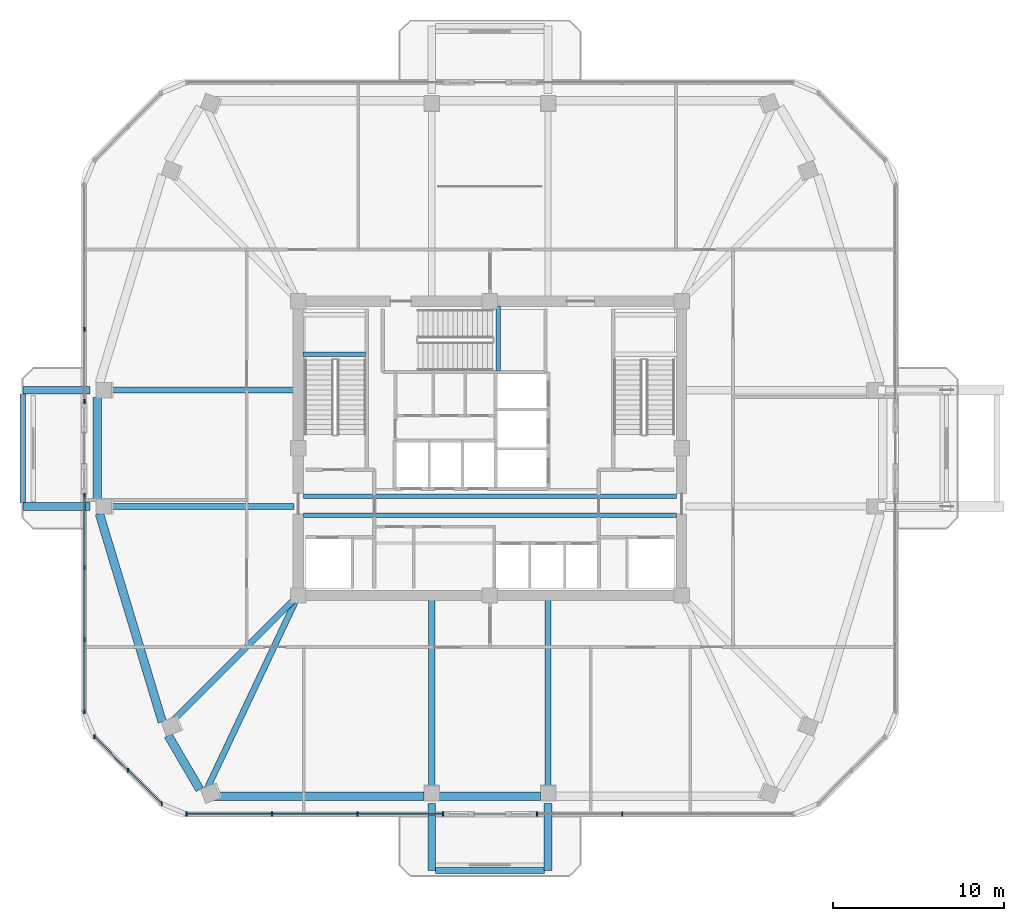
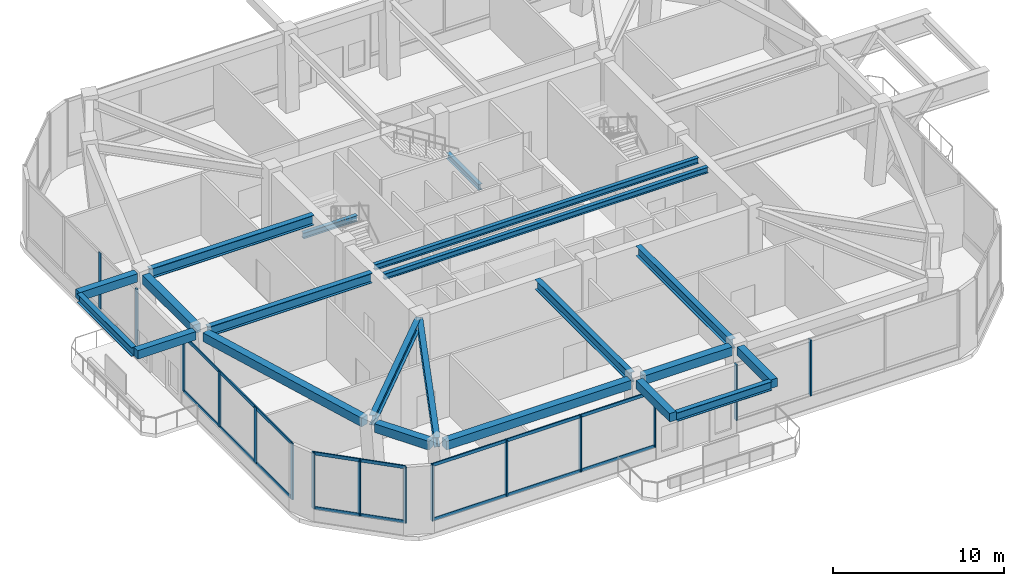
# One storey, part 2 of 14: 21 beams, 21 members, 5 elements without a shape of their own.
"""IFC4 building model written with IfcOpenShell, lengths in metres."""

from ifc_helpers import new_model, si_unit, derived_unit, direction, frame, origin, origin_2d, place, context, subcontext, project, spatial, rectangle, i_section, extrude, material, material_profile, profile_set, type_object, element, aggregate, save


model = new_model("IFC4")

# Units and contexts
model_context = context("Model", 3, precision=1e-05, world=origin(), true_north=direction((0.0, 1.0)))
body_context = subcontext(model_context, "Body", "Model", "MODEL_VIEW")
ifc_project = project(units=[si_unit("LENGTHUNIT", "METRE"), si_unit("AREAUNIT", "SQUARE_METRE"), si_unit("VOLUMEUNIT", "CUBIC_METRE"), si_unit("PLANEANGLEUNIT", "RADIAN"), si_unit("MASSUNIT", "GRAM", prefix="KILO"), derived_unit("THERMALTRANSMITTANCEUNIT", [(si_unit("POWERUNIT", "WATT"), 1), (si_unit("LENGTHUNIT", "METRE"), -2), (si_unit("THERMODYNAMICTEMPERATUREUNIT", "KELVIN"), -1)])], contexts=[model_context])

# Site, building, storey
site_placement = place(None, origin())
site = spatial("IfcSite", under=ifc_project, at=site_placement, CompositionType="ELEMENT")
building_placement = place(site_placement, origin())
building = spatial("IfcBuilding", under=site, at=building_placement, Name="Koralith Skygarden Medical Center", CompositionType="ELEMENT")
storey_placement = place(building_placement, frame((0.0, 0.0, 182.699951171875)))
storey = spatial("IfcBuildingStorey", under=building, at=storey_placement, Name="L47", CompositionType="ELEMENT", Elevation=182.699951171875)

# Curtain wall, members
ifc_material_1 = material(Name="Clear Laminated Glass", Category="glass")
curtain_wall_type = type_object("IfcCurtainWallType", Name="CW-7 Sky-Garden & Pool Conservatory Wall", PredefinedType="NOTDEFINED", material=ifc_material_1)
curtain_wall_1_placement = place(storey_placement, origin())
curtain_wall_1 = element("IfcCurtainWall", 1, at=curtain_wall_1_placement, inside=storey, type_object=curtain_wall_type, Name="Curtain Wall CW-L47-S-L", PredefinedType="NOTDEFINED")
ifc_material_2 = material(Name="Aluminium 6063-T6", Category="aluminium")
ifc_material_profile_1 = material_profile(ifc_material_2, rectangle(XDim=0.0859375, YDim=0.25, at=origin_2d()), Name="MUL86X250")
ifc_profile_set_1 = profile_set([ifc_material_profile_1], Name="Aluminium 6063-T6")
member_type_1 = type_object("IfcMemberType", Name="CW-7 Extruded Mullion 86x250", PredefinedType="MULLION", material=ifc_profile_set_1)
member_1_placement = place(storey_placement, frame((19.278076171875, 4.529052734375, 0.85009765625), z_axis=(0.0, 0.0, 1.0), x_axis=(1.0, 0.0, 0.0)))
member_1 = element("IfcMember", 2, at=member_1_placement, type_object=member_type_1, Name="CW-L47-S-L Mullion 1", PredefinedType="MULLION", context=body_context, shape_type="SweptSolid", body=[
    extrude(rectangle(XDim=0.0859375, YDim=0.25, at=origin_2d()), origin(), (0.0, 0.0, 1.0), 3.97998046875),
])
member_2_placement = place(storey_placement, frame((24.27197265625, 4.529052734375, 0.85009765625), z_axis=(0.0, 0.0, 1.0), x_axis=(1.0, 0.0, 0.0)))
member_2 = element("IfcMember", 3, at=member_2_placement, type_object=member_type_1, Name="CW-L47-S-L Mullion 2", PredefinedType="MULLION", context=body_context, shape_type="SweptSolid", body=[
    extrude(rectangle(XDim=0.0859375, YDim=0.25, at=origin_2d()), origin(), (0.0, 0.0, 1.0), 3.97998046875),
])
member_3_placement = place(storey_placement, frame((29.264892578125, 4.529052734375, 0.85009765625), z_axis=(0.0, 0.0, 1.0), x_axis=(1.0, 0.0, 0.0)))
member_3 = element("IfcMember", 4, at=member_3_placement, type_object=member_type_1, Name="CW-L47-S-L Mullion 3", PredefinedType="MULLION", context=body_context, shape_type="SweptSolid", body=[
    extrude(rectangle(XDim=0.0859375, YDim=0.25, at=origin_2d()), origin(), (0.0, 0.0, 1.0), 3.97998046875),
])
member_4_placement = place(storey_placement, frame((34.259033203125, 4.529052734375, 0.85009765625), z_axis=(0.0, 0.0, 1.0), x_axis=(1.0, 0.0, 0.0)))
member_4 = element("IfcMember", 5, at=member_4_placement, type_object=member_type_1, Name="CW-L47-S-L Mullion 4", PredefinedType="MULLION", context=body_context, shape_type="SweptSolid", body=[
    extrude(rectangle(XDim=0.0859375, YDim=0.25, at=origin_2d()), origin(), (0.0, 0.0, 1.0), 3.97998046875),
])

curtain_wall_2_placement = place(storey_placement, origin())
curtain_wall_2 = element("IfcCurtainWall", 6, at=curtain_wall_2_placement, inside=storey, type_object=curtain_wall_type, Name="Curtain Wall CW-L47-S-R", PredefinedType="NOTDEFINED")
member_5_placement = place(storey_placement, frame((39.739013671875, 4.529052734375, 0.85009765625), z_axis=(0.0, 0.0, 1.0), x_axis=(1.0, 0.0, 0.0)))
member_5 = element("IfcMember", 7, at=member_5_placement, type_object=member_type_1, Name="CW-L47-S-R Mullion 1", PredefinedType="MULLION", context=body_context, shape_type="SweptSolid", body=[
    extrude(rectangle(XDim=0.0859375, YDim=0.25, at=origin_2d()), origin(), (0.0, 0.0, 1.0), 3.97998046875),
])
member_6_placement = place(storey_placement, frame((44.73291015625, 4.529052734375, 0.85009765625), z_axis=(0.0, 0.0, 1.0), x_axis=(1.0, 0.0, 0.0)))
member_6 = element("IfcMember", 8, at=member_6_placement, type_object=member_type_1, Name="CW-L47-S-R Mullion 2", PredefinedType="MULLION", context=body_context, shape_type="SweptSolid", body=[
    extrude(rectangle(XDim=0.0859375, YDim=0.25, at=origin_2d()), origin(), (0.0, 0.0, 1.0), 3.97998046875),
])
aggregate(curtain_wall_2, [member_5, member_6])

curtain_wall_3_placement = place(storey_placement, origin())
curtain_wall_3 = element("IfcCurtainWall", 9, at=curtain_wall_3_placement, inside=storey, type_object=curtain_wall_type, Name="Curtain Wall CW-L47-W-L", PredefinedType="NOTDEFINED")
member_7_placement = place(storey_placement, frame((13.302978515625, 32.85791015625, 0.85009765625), z_axis=(0.0, 0.0, 1.0), x_axis=(1.0, 0.0, 0.0)))
member_7 = element("IfcMember", 10, at=member_7_placement, type_object=member_type_1, Name="CW-L47-W-L Mullion 3", PredefinedType="MULLION", context=body_context, shape_type="SweptSolid", body=[
    extrude(rectangle(XDim=0.0859375, YDim=0.25, at=origin_2d()), origin(), (0.0, 0.0, 1.0), 3.97998046875),
])
member_8_placement = place(storey_placement, frame((13.302978515625, 28.639892578125, 0.85009765625), z_axis=(0.0, 0.0, 1.0), x_axis=(1.0, 0.0, 0.0)))
member_8 = element("IfcMember", 11, at=member_8_placement, type_object=member_type_1, Name="CW-L47-W-L Mullion 4", PredefinedType="MULLION", context=body_context, shape_type="SweptSolid", body=[
    extrude(rectangle(XDim=0.0859375, YDim=0.25, at=origin_2d()), origin(), (0.0, 0.0, 1.0), 3.97998046875),
])
aggregate(curtain_wall_3, [member_7, member_8])

curtain_wall_4_placement = place(storey_placement, origin())
curtain_wall_4 = element("IfcCurtainWall", 12, at=curtain_wall_4_placement, inside=storey, type_object=curtain_wall_type, Name="Curtain Wall CW-L47-W-R", PredefinedType="NOTDEFINED")
member_9_placement = place(storey_placement, frame((13.302978515625, 23.159912109375, 0.85009765625), z_axis=(0.0, 0.0, 1.0), x_axis=(1.0, 0.0, 0.0)))
member_9 = element("IfcMember", 13, at=member_9_placement, type_object=member_type_1, Name="CW-L47-W-R Mullion 1", PredefinedType="MULLION", context=body_context, shape_type="SweptSolid", body=[
    extrude(rectangle(XDim=0.0859375, YDim=0.25, at=origin_2d()), origin(), (0.0, 0.0, 1.0), 3.97998046875),
])
member_10_placement = place(storey_placement, frame((13.302978515625, 18.94189453125, 0.85009765625), z_axis=(0.0, 0.0, 1.0), x_axis=(1.0, 0.0, 0.0)))
member_10 = element("IfcMember", 14, at=member_10_placement, type_object=member_type_1, Name="CW-L47-W-R Mullion 2", PredefinedType="MULLION", context=body_context, shape_type="SweptSolid", body=[
    extrude(rectangle(XDim=0.0859375, YDim=0.25, at=origin_2d()), origin(), (0.0, 0.0, 1.0), 3.97998046875),
])
member_11_placement = place(storey_placement, frame((13.302978515625, 14.722900390625, 0.85009765625), z_axis=(0.0, 0.0, 1.0), x_axis=(1.0, 0.0, 0.0)))
member_11 = element("IfcMember", 15, at=member_11_placement, type_object=member_type_1, Name="CW-L47-W-R Mullion 3", PredefinedType="MULLION", context=body_context, shape_type="SweptSolid", body=[
    extrude(rectangle(XDim=0.0859375, YDim=0.25, at=origin_2d()), origin(), (0.0, 0.0, 1.0), 3.97998046875),
])
member_12_placement = place(storey_placement, frame((13.302978515625, 10.5048828125, 0.85009765625), z_axis=(0.0, 0.0, 1.0), x_axis=(1.0, 0.0, 0.0)))
member_12 = element("IfcMember", 16, at=member_12_placement, type_object=member_type_1, Name="CW-L47-W-R Mullion 4", PredefinedType="MULLION", context=body_context, shape_type="SweptSolid", body=[
    extrude(rectangle(XDim=0.0859375, YDim=0.25, at=origin_2d()), origin(), (0.0, 0.0, 1.0), 3.97998046875),
])

curtain_wall_5_placement = place(storey_placement, origin())
curtain_wall_5 = element("IfcCurtainWall", 17, at=curtain_wall_5_placement, inside=storey, type_object=curtain_wall_type, Name="Curtain Wall CW-L47-SW", PredefinedType="NOTDEFINED")
member_13_placement = place(storey_placement, frame((13.904052734375, 9.053955078125, 0.85009765625), z_axis=(0.0, 0.0, 1.0), x_axis=(1.0, 0.0, 0.0)))
member_13 = element("IfcMember", 18, at=member_13_placement, type_object=member_type_1, Name="CW-L47-SW Mullion 1", PredefinedType="MULLION", context=body_context, shape_type="SweptSolid", body=[
    extrude(rectangle(XDim=0.0859375, YDim=0.25, at=origin_2d()), origin(), (0.0, 0.0, 1.0), 3.97998046875),
])
member_14_placement = place(storey_placement, frame((15.865966796875, 7.093017578125, 0.85009765625), z_axis=(0.0, 0.0, 1.0), x_axis=(1.0, 0.0, 0.0)))
member_14 = element("IfcMember", 19, at=member_14_placement, type_object=member_type_1, Name="CW-L47-SW Mullion 2", PredefinedType="MULLION", context=body_context, shape_type="SweptSolid", body=[
    extrude(rectangle(XDim=0.0859375, YDim=0.25, at=origin_2d()), origin(), (0.0, 0.0, 1.0), 3.97998046875),
])
member_15_placement = place(storey_placement, frame((17.826904296875, 5.131103515625, 0.85009765625), z_axis=(0.0, 0.0, 1.0), x_axis=(1.0, 0.0, 0.0)))
member_15 = element("IfcMember", 20, at=member_15_placement, type_object=member_type_1, Name="CW-L47-SW Mullion 3", PredefinedType="MULLION", context=body_context, shape_type="SweptSolid", body=[
    extrude(rectangle(XDim=0.0859375, YDim=0.25, at=origin_2d()), origin(), (0.0, 0.0, 1.0), 3.97998046875),
])

# Member
ifc_material_profile_2 = material_profile(ifc_material_2, rectangle(XDim=0.0810546875, YDim=0.22509765625, at=origin_2d()), Name="TRN81X225")
ifc_profile_set_2 = profile_set([ifc_material_profile_2], Name="Aluminium 6063-T6")
member_type_2 = type_object("IfcMemberType", Name="CW-7 Thermal Transom 81x225", PredefinedType="USERDEFINED", material=ifc_profile_set_2)
member_16_placement = place(storey_placement, frame((19.278076171875, 4.529052734375, 0.900146484375), z_axis=(1.0, 0.0, 0.0), x_axis=(0.0, 1.0, 0.0)))
member_16 = element("IfcMember", 21, at=member_16_placement, type_object=member_type_2, Name="CW-L47-S-L Transom 1", ObjectType="TRANSOM", PredefinedType="USERDEFINED", context=body_context, shape_type="SweptSolid", body=[
    extrude(rectangle(XDim=0.0810546875, YDim=0.22509765625, at=origin_2d()), origin(), (0.0, 0.0, 1.0), 14.98095703125),
])

member_17_placement = place(storey_placement, frame((19.278076171875, 4.529052734375, 4.780029296875), z_axis=(1.0, 0.0, 0.0), x_axis=(0.0, 1.0, 0.0)))
member_17 = element("IfcMember", 22, at=member_17_placement, type_object=member_type_2, Name="CW-L47-S-L Transom 2", ObjectType="TRANSOM", PredefinedType="USERDEFINED", context=body_context, shape_type="SweptSolid", body=[
    extrude(rectangle(XDim=0.0810546875, YDim=0.22509765625, at=origin_2d()), origin(), (0.0, 0.0, 1.0), 14.98095703125),
])

aggregate(curtain_wall_1, [member_1, member_2, member_3, member_4, member_16, member_17])

member_18_placement = place(storey_placement, frame((13.302978515625, 23.159912109375, 0.900146484375), z_axis=(0.0, -1.0, 0.0), x_axis=(1.0, 0.0, 0.0)))
member_18 = element("IfcMember", 23, at=member_18_placement, type_object=member_type_2, Name="CW-L47-W-R Transom 1", ObjectType="TRANSOM", PredefinedType="USERDEFINED", context=body_context, shape_type="SweptSolid", body=[
    extrude(rectangle(XDim=0.0810546875, YDim=0.22509765625, at=origin_2d()), origin(), (0.0, 0.0, 1.0), 12.655029296875),
])

member_19_placement = place(storey_placement, frame((13.302978515625, 23.159912109375, 4.780029296875), z_axis=(0.0, -1.0, 0.0), x_axis=(1.0, 0.0, 0.0)))
member_19 = element("IfcMember", 24, at=member_19_placement, type_object=member_type_2, Name="CW-L47-W-R Transom 2", ObjectType="TRANSOM", PredefinedType="USERDEFINED", context=body_context, shape_type="SweptSolid", body=[
    extrude(rectangle(XDim=0.0810546875, YDim=0.22509765625, at=origin_2d()), origin(), (0.0, 0.0, 1.0), 12.655029296875),
])

aggregate(curtain_wall_4, [member_9, member_10, member_11, member_12, member_18, member_19])

member_20_placement = place(storey_placement, frame((13.904052734375, 9.053955078125, 0.900146484375), z_axis=(0.707106781187, -0.707106781187, 0.0), x_axis=(0.707106781187, 0.707106781187, 0.0)))
member_20 = element("IfcMember", 25, at=member_20_placement, type_object=member_type_2, Name="CW-L47-SW Transom 1", ObjectType="TRANSOM", PredefinedType="USERDEFINED", context=body_context, shape_type="SweptSolid", body=[
    extrude(rectangle(XDim=0.0810546875, YDim=0.22509765625, at=origin_2d()), origin(), (0.0, 0.0, 1.0), 5.5478515625),
])

member_21_placement = place(storey_placement, frame((13.904052734375, 9.053955078125, 4.780029296875), z_axis=(0.707106781187, -0.707106781187, 0.0), x_axis=(0.707106781187, 0.707106781187, 0.0)))
member_21 = element("IfcMember", 26, at=member_21_placement, type_object=member_type_2, Name="CW-L47-SW Transom 2", ObjectType="TRANSOM", PredefinedType="USERDEFINED", context=body_context, shape_type="SweptSolid", body=[
    extrude(rectangle(XDim=0.0810546875, YDim=0.22509765625, at=origin_2d()), origin(), (0.0, 0.0, 1.0), 5.5478515625),
])

aggregate(curtain_wall_5, [member_13, member_14, member_15, member_20, member_21])

# Beams
ifc_material_3 = material(Name="Steel ASTM A992 Grade 50", Category="steel")
ifc_material_profile_3 = material_profile(ifc_material_3, i_section(OverallWidth=0.326904296875, OverallDepth=0.6220703125, WebThickness=0.015380859375, FlangeThickness=0.0244140625, at=origin_2d()), Name="W24X131")
ifc_profile_set_3 = profile_set([ifc_material_profile_3], Name="Steel ASTM A992 Grade 50")
beam_type_1 = type_object("IfcBeamType", Name="Cantilever Tie Beam W24X131", PredefinedType="BEAM", material=ifc_profile_set_3)
beam_1_placement = place(storey_placement, frame((33.820068359375, 1.23388671875, 5.18896484375), z_axis=(1.0, 0.0, 0.0), x_axis=(0.0, 1.0, 0.0)))
element("IfcBeam", 27, at=beam_1_placement, inside=storey, type_object=beam_type_1, Name="L48 S Balcony Tip Tie Beam", PredefinedType="BEAM", context=body_context, shape_type="SweptSolid", body=[
    extrude(i_section(OverallWidth=0.326904296875, OverallDepth=0.6220703125, WebThickness=0.015380859375, FlangeThickness=0.0244140625, at=origin_2d()), origin(), (0.0, 0.0, 1.0), 6.35986328125),
])
beam_2_placement = place(storey_placement, frame((9.708984375, 22.719970703125, 5.18896484375), z_axis=(0.0, 1.0, 0.0), x_axis=(-1.0, 0.0, 0.0)))
element("IfcBeam", 28, at=beam_2_placement, inside=storey, type_object=beam_type_1, Name="L48 W Balcony Tip Tie Beam", PredefinedType="BEAM", context=body_context, shape_type="SweptSolid", body=[
    extrude(i_section(OverallWidth=0.326904296875, OverallDepth=0.6220703125, WebThickness=0.015380859375, FlangeThickness=0.0244140625, at=origin_2d()), origin(), (0.0, 0.0, 1.0), 6.360107421875),
])
ifc_material_profile_4 = material_profile(ifc_material_3, i_section(OverallWidth=0.260009765625, OverallDepth=0.4150390625, WebThickness=0.010009765625, FlangeThickness=0.016845703125, at=origin_2d()), Name="W16X67")
ifc_profile_set_4 = profile_set([ifc_material_profile_4], Name="Steel ASTM A992 Grade 50")
beam_type_2 = type_object("IfcBeamType", Name="Clinical Floor Joist W16X67", PredefinedType="JOIST", material=ifc_profile_set_4)
for number, where, z_axis, x_axis, name in (
    (29, (26.10009765625, 22.0, 5.251953125), (1.0, 0.0, 0.0), (0.0, 1.0, 0.0), "L47 Core Lobby Floor Joist 1"),
    (30, (26.10009765625, 23.10009765625, 5.251953125), (1.0, 0.0, 0.0), (0.0, 1.0, 0.0), "L47 Core Lobby Floor Joist 2"),
):
    element("IfcBeam", number, at=place(storey_placement, frame(where, z_axis=z_axis, x_axis=x_axis)), inside=storey, type_object=beam_type_2, Name=name, PredefinedType="JOIST", context=body_context, shape_type="SweptSolid", body=[
        extrude(i_section(OverallWidth=0.260009765625, OverallDepth=0.4150390625, WebThickness=0.010009765625, FlangeThickness=0.016845703125, at=origin_2d()), origin(), (0.0, 0.0, 1.0), 21.7998046875),
    ])
beam_3_placement = place(storey_placement, frame((26.080078125, 31.39990234375, 2.47314453125), z_axis=(1.0, 0.0, 0.0), x_axis=(0.0, 1.0, 0.0)))
element("IfcBeam", 31, at=beam_3_placement, inside=storey, type_object=beam_type_2, Name="L47 Stair ST1 Half-Landing Support Beam 1A", PredefinedType="JOIST", context=body_context, shape_type="SweptSolid", body=[
    extrude(i_section(OverallWidth=0.260009765625, OverallDepth=0.4150390625, WebThickness=0.010009765625, FlangeThickness=0.016845703125, at=origin_2d()), origin(), (0.0, 0.0, 1.0), 3.639892578125),
])
beam_4_placement = place(storey_placement, frame((37.5, 30.43994140625, 2.47314453125), z_axis=(0.0, 1.0, 0.0), x_axis=(-1.0, 0.0, 0.0)))
element("IfcBeam", 32, at=beam_4_placement, inside=storey, type_object=beam_type_2, Name="L47 Stair ST3 Half-Landing Support Beam 1A", PredefinedType="JOIST", context=body_context, shape_type="SweptSolid", body=[
    extrude(i_section(OverallWidth=0.260009765625, OverallDepth=0.4150390625, WebThickness=0.010009765625, FlangeThickness=0.016845703125, at=origin_2d()), origin(), (0.0, 0.0, 1.0), 3.780029296875),
])
ifc_material_4 = material(Name="Concrete C45/55", Category="concrete")
ifc_material_profile_5 = material_profile(ifc_material_4, rectangle(XDim=0.449951171875, YDim=0.60009765625, at=origin_2d()), Name="RCB450X600")
ifc_profile_set_5 = profile_set([ifc_material_profile_5], Name="Concrete C45/55")
beam_type_3 = type_object("IfcBeamType", Name="Planted Balcony Cantilever Beam RCB450X600", PredefinedType="BEAM", material=ifc_profile_set_5)
for number, where, z_axis, x_axis, name in (
    (33, (33.60009765625, 5.154052734375, 5.199951171875), (0.0, -1.0, 0.0), (1.0, 0.0, 0.0), "L48 S Balcony Cantilever Beam A"),
    (34, (40.39990234375, 5.154052734375, 5.199951171875), (0.0, -1.0, 0.0), (1.0, 0.0, 0.0), "L48 S Balcony Cantilever Beam B"),
):
    element("IfcBeam", number, at=place(storey_placement, frame(where, z_axis=z_axis, x_axis=x_axis)), inside=storey, type_object=beam_type_3, Name=name, PredefinedType="BEAM", context=body_context, shape_type="SweptSolid", body=[
        extrude(rectangle(XDim=0.449951171875, YDim=0.60009765625, at=origin_2d()), origin(), (0.0, 0.0, 1.0), 3.920166015625),
    ])
for number, where, z_axis, x_axis, name in (
    (35, (13.62890625, 22.5, 5.199951171875), (-1.0, 0.0, 0.0), (0.0, -1.0, 0.0), "L48 W Balcony Cantilever Beam A"),
    (36, (13.62890625, 29.300048828125, 5.199951171875), (-1.0, 0.0, 0.0), (0.0, -1.0, 0.0), "L48 W Balcony Cantilever Beam B"),
):
    element("IfcBeam", number, at=place(storey_placement, frame(where, z_axis=z_axis, x_axis=x_axis)), inside=storey, type_object=beam_type_3, Name=name, PredefinedType="BEAM", context=body_context, shape_type="SweptSolid", body=[
        extrude(rectangle(XDim=0.449951171875, YDim=0.60009765625, at=origin_2d()), origin(), (0.0, 0.0, 1.0), 3.919921875),
    ])
ifc_material_profile_6 = material_profile(ifc_material_3, i_section(OverallWidth=0.35595703125, OverallDepth=0.700927734375, WebThickness=0.016845703125, FlangeThickness=0.02734375, at=origin_2d()), Name="W27X161")
ifc_profile_set_6 = profile_set([ifc_material_profile_6], Name="Steel ASTM A992 Grade 50")
beam_type_4 = type_object("IfcBeamType", Name="Sky-Lobby Radial Girder W27X161", PredefinedType="BEAM", material=ifc_profile_set_6)
beam_5_placement = place(storey_placement, frame((25.550048828125, 22.5, 5.109130859375), z_axis=(-1.0, 0.0, 0.0), x_axis=(0.0, -1.0, 0.0)))
element("IfcBeam", 37, at=beam_5_placement, inside=storey, type_object=beam_type_4, Name="L47 Radial Collector Beam RB-01", PredefinedType="BEAM", context=body_context, shape_type="SweptSolid", body=[
    extrude(i_section(OverallWidth=0.35595703125, OverallDepth=0.700927734375, WebThickness=0.016845703125, FlangeThickness=0.02734375, at=origin_2d()), origin(), (0.0, 0.0, 1.0), 11.051025390625),
])
beam_6_placement = place(storey_placement, frame((25.623046875, 17.1240234375, 5.109130859375), z_axis=(-0.708214413624, -0.705997410997, 0.0), x_axis=(0.705997410997, -0.708214413624, 0.0)))
element("IfcBeam", 38, at=beam_6_placement, inside=storey, type_object=beam_type_4, Name="L47 Radial Collector Beam RB-02", PredefinedType="BEAM", context=body_context, shape_type="SweptSolid", body=[
    extrude(i_section(OverallWidth=0.35595703125, OverallDepth=0.700927734375, WebThickness=0.016845703125, FlangeThickness=0.02734375, at=origin_2d()), origin(), (0.0, 0.0, 1.0), 10.3515625),
])
beam_7_placement = place(storey_placement, frame((25.693115234375, 17.073974609375, 5.109130859375), z_axis=(-0.426754462032, -0.904367529899, 0.0), x_axis=(0.904367529899, -0.426754462032, 0.0)))
element("IfcBeam", 39, at=beam_7_placement, inside=storey, type_object=beam_type_4, Name="L47 Radial Collector Beam RB-03", PredefinedType="BEAM", context=body_context, shape_type="SweptSolid", body=[
    extrude(i_section(OverallWidth=0.35595703125, OverallDepth=0.700927734375, WebThickness=0.016845703125, FlangeThickness=0.02734375, at=origin_2d()), origin(), (0.0, 0.0, 1.0), 12.264892578125),
])
for number, where, z_axis, x_axis, name in (
    (40, (33.60009765625, 17.050048828125, 5.109130859375), (0.0, -1.0, 0.0), (1.0, 0.0, 0.0), "L47 Radial Collector Beam RB-04"),
    (41, (40.39990234375, 17.050048828125, 5.109130859375), (0.0, -1.0, 0.0), (1.0, 0.0, 0.0), "L47 Radial Collector Beam RB-05"),
):
    element("IfcBeam", number, at=place(storey_placement, frame(where, z_axis=z_axis, x_axis=x_axis)), inside=storey, type_object=beam_type_4, Name=name, PredefinedType="BEAM", context=body_context, shape_type="SweptSolid", body=[
        extrude(i_section(OverallWidth=0.35595703125, OverallDepth=0.700927734375, WebThickness=0.016845703125, FlangeThickness=0.02734375, at=origin_2d()), origin(), (0.0, 0.0, 1.0), 11.026123046875),
    ])
beam_8_placement = place(storey_placement, frame((25.550048828125, 29.300048828125, 5.109130859375), z_axis=(-1.0, 0.0, 0.0), x_axis=(0.0, -1.0, 0.0)))
element("IfcBeam", 42, at=beam_8_placement, inside=storey, type_object=beam_type_4, Name="L47 Radial Collector Beam RB-16", PredefinedType="BEAM", context=body_context, shape_type="SweptSolid", body=[
    extrude(i_section(OverallWidth=0.35595703125, OverallDepth=0.700927734375, WebThickness=0.016845703125, FlangeThickness=0.02734375, at=origin_2d()), origin(), (0.0, 0.0, 1.0), 11.051025390625),
])
ifc_material_profile_7 = material_profile(ifc_material_4, rectangle(XDim=0.5, YDim=0.6201171875, at=origin_2d()), Name="RCB500X620")
ifc_profile_set_7 = profile_set([ifc_material_profile_7], Name="Concrete C45/55")
beam_type_5 = type_object("IfcBeamType", Name="Zone 4-5 Spandrel Beam RCB500X620", PredefinedType="SPANDREL", material=ifc_profile_set_7)
beam_9_placement = place(storey_placement, frame((14.18603515625, 22.0791015625, 5.150146484375), z_axis=(0.288870232301, -0.957368261898, 0.0), x_axis=(0.957368261898, 0.288870232301, 0.0)))
element("IfcBeam", 43, at=beam_9_placement, inside=storey, type_object=beam_type_5, Name="L47 Perimeter Spandrel Beam SP-01", PredefinedType="SPANDREL", context=body_context, shape_type="SweptSolid", body=[
    extrude(rectangle(XDim=0.5, YDim=0.6201171875, at=origin_2d()), origin(), (0.0, 0.0, 1.0), 12.6943359375),
])
beam_10_placement = place(storey_placement, frame((18.201904296875, 9.125, 5.150146484375), z_axis=(0.504546715486, -0.863384394052, 0.0), x_axis=(0.863384394052, 0.504546715486, 0.0)))
element("IfcBeam", 44, at=beam_10_placement, inside=storey, type_object=beam_type_5, Name="L47 Perimeter Spandrel Beam SP-02", PredefinedType="SPANDREL", context=body_context, shape_type="SweptSolid", body=[
    extrude(rectangle(XDim=0.5, YDim=0.6201171875, at=origin_2d()), origin(), (0.0, 0.0, 1.0), 3.6611328125),
])
beam_11_placement = place(storey_placement, frame((20.7109375, 5.583984375, 5.150146484375), z_axis=(1.0, 0.0, 0.0), x_axis=(0.0, 1.0, 0.0)))
element("IfcBeam", 45, at=beam_11_placement, inside=storey, type_object=beam_type_5, Name="L47 Perimeter Spandrel Beam SP-03", PredefinedType="SPANDREL", context=body_context, shape_type="SweptSolid", body=[
    extrude(rectangle(XDim=0.5, YDim=0.6201171875, at=origin_2d()), origin(), (0.0, 0.0, 1.0), 12.448974609375),
])
beam_12_placement = place(storey_placement, frame((34.0400390625, 5.583984375, 5.150146484375), z_axis=(1.0, 0.0, 0.0), x_axis=(0.0, 1.0, 0.0)))
element("IfcBeam", 46, at=beam_12_placement, inside=storey, type_object=beam_type_5, Name="L47 Perimeter Spandrel Beam SP-04", PredefinedType="SPANDREL", context=body_context, shape_type="SweptSolid", body=[
    extrude(rectangle(XDim=0.5, YDim=0.6201171875, at=origin_2d()), origin(), (0.0, 0.0, 1.0), 5.919921875),
])
beam_13_placement = place(storey_placement, frame((14.05908203125, 28.860107421875, 5.150146484375), z_axis=(0.0, -1.0, 0.0), x_axis=(1.0, 0.0, 0.0)))
element("IfcBeam", 47, at=beam_13_placement, inside=storey, type_object=beam_type_5, Name="L47 Perimeter Spandrel Beam SP-16", PredefinedType="SPANDREL", context=body_context, shape_type="SweptSolid", body=[
    extrude(rectangle(XDim=0.5, YDim=0.6201171875, at=origin_2d()), origin(), (0.0, 0.0, 1.0), 5.920166015625),
])

save(model, "model.ifc")
